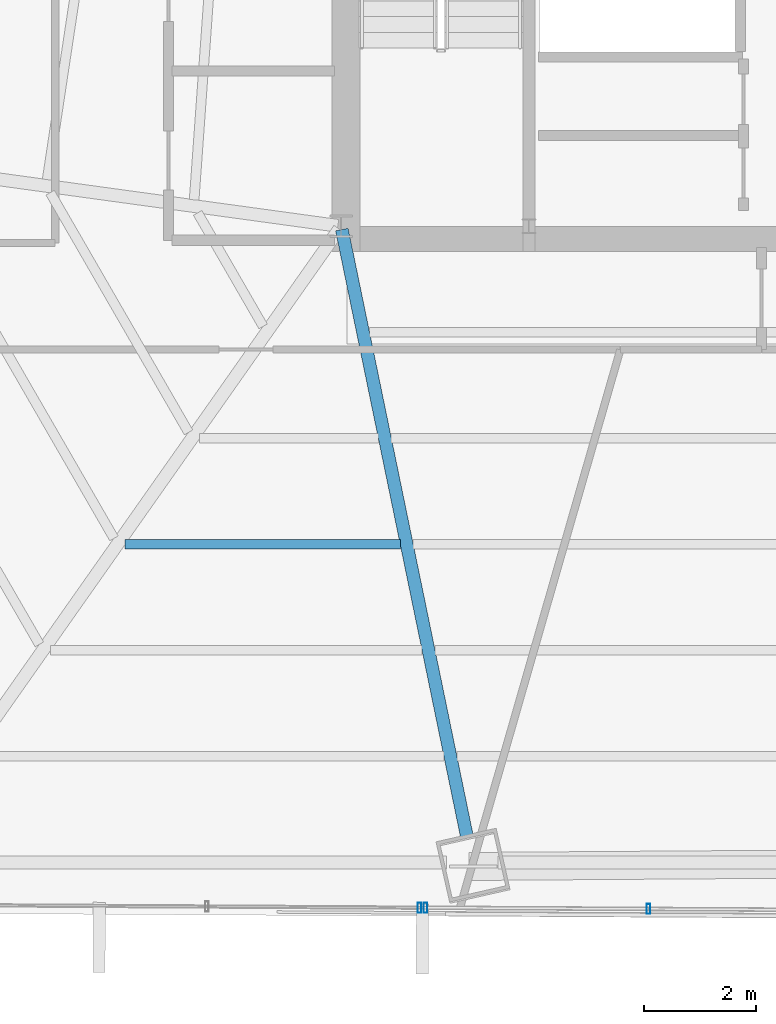
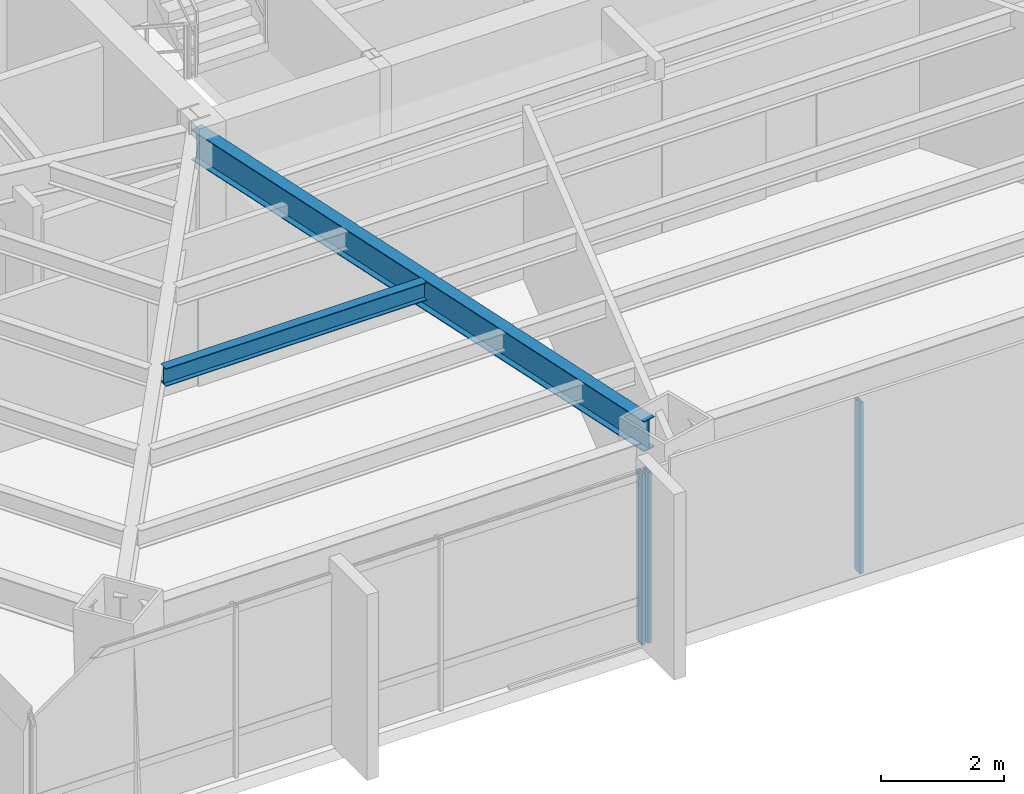
# One storey, part 8 of 35: 3 members, 2 beams, 2 elements without a shape of their own.
"""IFC4 building model written with IfcOpenShell, lengths in metres."""

from ifc_helpers import new_model, si_unit, direction, frame, origin, origin_2d, place, context, subcontext, project, spatial, hollow_rectangle, i_section, extrude, source, transform, mapped, material, material_profile, profile_set, type_object, type_shapes, element, aggregate, save


model = new_model("IFC4")

# Units and contexts
model_context = context("Model", 3, precision=1e-05, world=origin(), true_north=direction((0.0, 1.0)))
body_context = subcontext(model_context, "Body", "Model", "MODEL_VIEW")
ifc_project = project(units=[si_unit("LENGTHUNIT", "METRE"), si_unit("AREAUNIT", "SQUARE_METRE"), si_unit("VOLUMEUNIT", "CUBIC_METRE"), si_unit("PLANEANGLEUNIT", "RADIAN"), si_unit("MASSUNIT", "GRAM", prefix="KILO")], contexts=[model_context])

# Site, building, storey
site_placement = place(None, origin())
site = spatial("IfcSite", under=ifc_project, at=site_placement, CompositionType="ELEMENT")
building_placement = place(site_placement, origin())
building = spatial("IfcBuilding", under=site, at=building_placement, Name="Caelisora Broadcast Tower", CompositionType="ELEMENT")
storey_placement = place(building_placement, frame((0.0, 0.0, 87.14990234375)))
storey = spatial("IfcBuildingStorey", under=building, at=storey_placement, Name="L22", CompositionType="ELEMENT", Elevation=87.14990234375)

# Beams
ifc_material_1 = material(Name="Steel Grade 350 (AS/NZS 3679.1)", Category="steel")
ifc_material_profile_1 = material_profile(ifc_material_1, i_section(OverallWidth=0.22802734375, OverallDepth=0.602294921875, WebThickness=0.010498046875, FlangeThickness=0.014892578125, at=origin_2d()), Name="Steel Grade 350 (AS/NZS 3679.1)")
ifc_profile_set_1 = profile_set([ifc_material_profile_1], Name="Steel Grade 350 (AS/NZS 3679.1)")
beam_type_1 = type_object("IfcBeamType", Name="PG04", PredefinedType="BEAM", material=ifc_profile_set_1)
shared_shape_1 = source(origin(), body_context, "Body", "SweptSolid", [
    extrude(i_section(OverallWidth=0.22802734375, OverallDepth=0.602294921875, WebThickness=0.010498046875, FlangeThickness=0.014892578125, at=origin_2d()), origin(), (0.0, 0.0, 1.0), 11.106689453125),
])
type_shapes(beam_type_1, [shared_shape_1])
beam_1_placement = place(storey_placement, frame((30.51220703125, 17.34130859375, 3.098876953125), z_axis=(0.201832160537, -0.979420123835, 0.0), x_axis=(0.979420123835, 0.201832160537, 0.0)))
element("IfcBeam", 1, at=beam_1_placement, inside=storey, type_object=beam_type_1, Name="L22 beam PG04", PredefinedType="BEAM", context=body_context, shape_type="MappedRepresentation", body=[
    mapped(shared_shape_1, transform((0.0, 0.0, 0.0), scale=1.0)),
])
ifc_material_profile_2 = material_profile(ifc_material_1, i_section(OverallWidth=0.172119140625, OverallDepth=0.358642578125, WebThickness=0.008056640625, FlangeThickness=0.012939453125, at=origin_2d()), Name="Steel Grade 350 (AS/NZS 3679.1)")
ifc_profile_set_2 = profile_set([ifc_material_profile_2], Name="Steel Grade 350 (AS/NZS 3679.1)")
beam_type_2 = type_object("IfcBeamType", Name="SB02", PredefinedType="JOIST", material=ifc_profile_set_2)
shared_shape_2 = source(origin(), body_context, "Body", "SweptSolid", [
    extrude(i_section(OverallWidth=0.172119140625, OverallDepth=0.358642578125, WebThickness=0.008056640625, FlangeThickness=0.012939453125, at=origin_2d()), origin(), (0.0, 0.0, 1.0), 4.911376953125),
])
type_shapes(beam_type_2, [shared_shape_2])
beam_2_placement = place(storey_placement, frame((26.64453125, 11.725830078125, 3.220703125), z_axis=(1.0, 0.0, 0.0), x_axis=(0.0, 1.0, 0.0)))
element("IfcBeam", 2, at=beam_2_placement, inside=storey, type_object=beam_type_2, Name="L22 beam SB02", PredefinedType="JOIST", context=body_context, shape_type="MappedRepresentation", body=[
    mapped(shared_shape_2, transform((0.0, 0.0, 0.0), scale=1.0)),
])

# Curtain wall, members
ifc_material_2 = material(Name="Unitised Aluminium Insulated Shadow-Box Spandrel Curtain Wall", Category="aluminium")
curtain_wall_type_1 = type_object("IfcCurtainWallType", Name="CW-SP1", PredefinedType="NOTDEFINED", material=ifc_material_2)
curtain_wall_1_placement = place(storey_placement, origin())
curtain_wall_1 = element("IfcCurtainWall", 3, at=curtain_wall_1_placement, inside=storey, type_object=curtain_wall_type_1, Name="L22 curtain wall CW-SP1", PredefinedType="NOTDEFINED")
ifc_material_3 = material(Name="Aluminium 6063-T6 Anodised Terracotta Bronze", Category="aluminium")
ifc_material_profile_3 = material_profile(ifc_material_3, hollow_rectangle(XDim=0.06494140625, YDim=0.179931640625, WallThickness=0.00341796875, at=origin_2d()), Name="Aluminium 6063-T6 Anodised Terracotta Bronze")
ifc_profile_set_3 = profile_set([ifc_material_profile_3], Name="Aluminium 6063-T6 Anodised Terracotta Bronze")
member_type = type_object("IfcMemberType", Name="CWM-02", PredefinedType="MULLION", material=ifc_profile_set_3)
shared_shape_3 = source(origin(), body_context, "Body", "SweptSolid", [
    extrude(hollow_rectangle(XDim=0.06494140625, YDim=0.179931640625, WallThickness=0.00341796875, at=origin_2d()), origin(), (0.0, 0.0, 1.0), 3.400146484375),
])
type_shapes(member_type, [shared_shape_3])
member_1_placement = place(storey_placement, frame((35.982666015625, 5.22119140625, 0.0), z_axis=(0.0, 0.0, 1.0), x_axis=(1.0, 0.0, 0.0)))
member_1 = element("IfcMember", 4, at=member_1_placement, type_object=member_type, Name="L22-CW-B06 mullion #2", PredefinedType="MULLION", context=body_context, shape_type="MappedRepresentation", body=[
    mapped(shared_shape_3, transform((0.0, 0.0, 0.0), scale=1.0)),
])
member_2_placement = place(storey_placement, frame((32.006103515625, 5.2431640625, 0.0), z_axis=(0.0, 0.0, 1.0), x_axis=(1.0, 0.0, 0.0)))
member_2 = element("IfcMember", 5, at=member_2_placement, type_object=member_type, Name="L22-CW-B06 mullion #3", PredefinedType="MULLION", context=body_context, shape_type="MappedRepresentation", body=[
    mapped(shared_shape_3, transform((0.0, 0.0, 0.0), scale=1.0)),
])
aggregate(curtain_wall_1, [member_1, member_2])

# Curtain wall, member
ifc_material_4 = material(Name="Unitised Aluminium and Low-E Glass Curtain Wall", Category="glass")
curtain_wall_type_2 = type_object("IfcCurtainWallType", Name="CW-Z2", PredefinedType="NOTDEFINED", material=ifc_material_4)
curtain_wall_2_placement = place(storey_placement, origin())
curtain_wall_2 = element("IfcCurtainWall", 6, at=curtain_wall_2_placement, inside=storey, type_object=curtain_wall_type_2, Name="L22 curtain wall CW-Z2", PredefinedType="NOTDEFINED")
member_3_placement = place(storey_placement, frame((31.89599609375, 5.243896484375, 0.0), z_axis=(0.0, 0.0, 1.0), x_axis=(1.0, 0.0, 0.0)))
member_3 = element("IfcMember", 7, at=member_3_placement, type_object=member_type, Name="L22-CW-B07 mullion #0", PredefinedType="MULLION", context=body_context, shape_type="MappedRepresentation", body=[
    mapped(shared_shape_3, transform((0.0, 0.0, 0.0), scale=1.0)),
])
aggregate(curtain_wall_2, [member_3])

save(model, "model.ifc")
